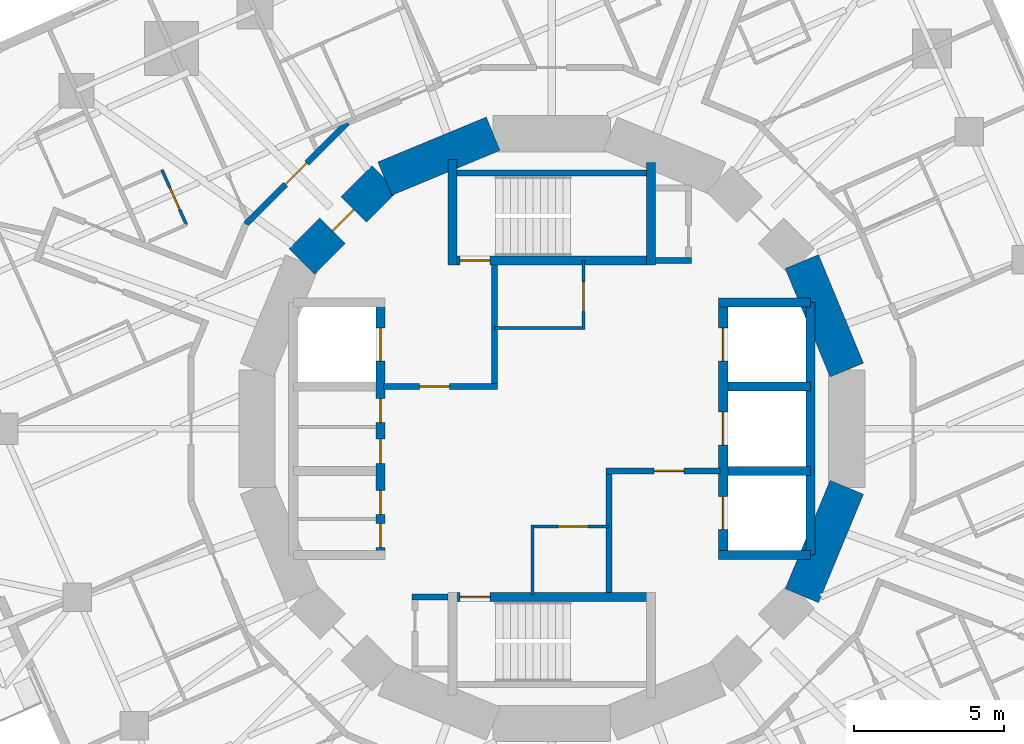
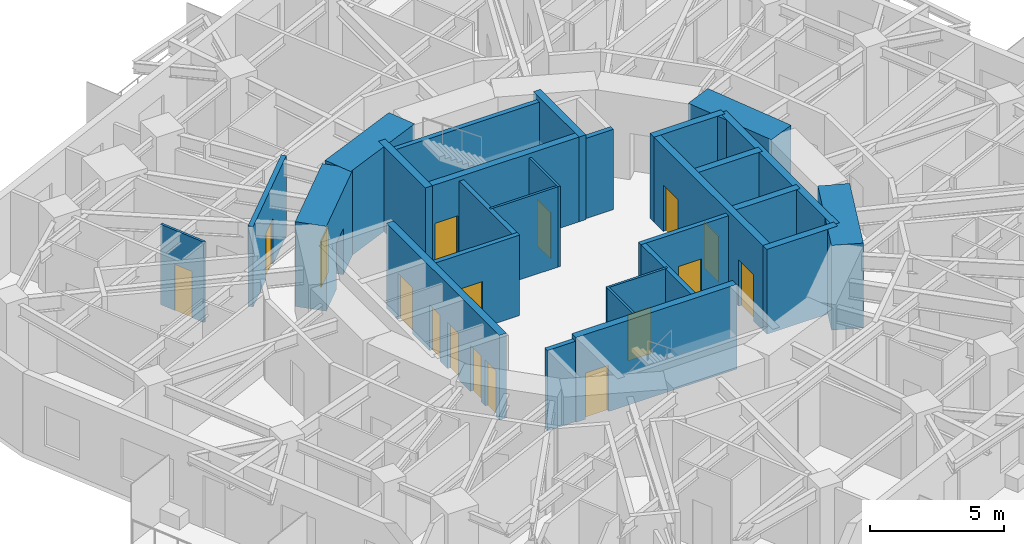
# One storey, part 7 of 12: 28 walls, 17 doors, 17 openings.
"""IFC4 building model written with IfcOpenShell, lengths in metres."""

from ifc_helpers import new_model, si_unit, direction, frame, frame_2d, origin, place, context, subcontext, project, spatial, rectangle, extrude, material, layer, layer_set, type_object, element, fill, save


model = new_model("IFC4")

# Units and contexts
model_context = context("Model", 3, precision=1e-05, world=origin(), true_north=direction((0.0, 1.0)))
body_context = subcontext(model_context, "Body", "Model", "MODEL_VIEW")
ifc_project = project(units=[si_unit("LENGTHUNIT", "METRE"), si_unit("AREAUNIT", "SQUARE_METRE"), si_unit("VOLUMEUNIT", "CUBIC_METRE"), si_unit("PLANEANGLEUNIT", "RADIAN"), si_unit("MASSUNIT", "GRAM", prefix="KILO")], contexts=[model_context])

# Site, building, storey
site_placement = place(None, origin())
site = spatial("IfcSite", under=ifc_project, at=site_placement, CompositionType="ELEMENT")
building_placement = place(site_placement, origin())
building = spatial("IfcBuilding", under=site, at=building_placement, Name="Nakasero Lantern House", CompositionType="ELEMENT")
storey_placement = place(building_placement, frame((0.0, 0.0, 190.14990234375)))
storey = spatial("IfcBuildingStorey", under=building, at=storey_placement, Name="L46", CompositionType="ELEMENT", Elevation=190.14990234375)

# Wall, openings, doors
ifc_material_1 = material(Name="Concrete C50/60", Category="concrete")
ifc_layer_1 = layer(ifc_material_1, 0.300048828125)
ifc_layer_set_1 = layer_set([ifc_layer_1], Name="Core inner wall 300")
wall_type_1 = type_object("IfcWallType", Name="Core inner wall 300", PredefinedType="SHEAR", material=ifc_layer_set_1)
wall_1_placement = place(storey_placement, frame((-5.699951171875, -4.199951171875, 0.0), z_axis=(0.0, 0.0, 1.0), x_axis=(0.0, 1.0, 0.0)))
wall_1 = element("IfcWall", 1, at=wall_1_placement, inside=storey, type_object=wall_type_1, Name="Core inner wall L46 LW", PredefinedType="SHEAR", context=body_context, shape_type="SweptSolid", body=[
    extrude(rectangle(XDim=8.39990234375, YDim=0.300048828125, at=frame_2d((4.199951171875, 0.0))), origin(), (0.0, 0.0, 1.0), 3.85009765625),
])
opening_1_placement = place(wall_1_placement, frame((0.25, 0.0, 0.0)))
opening_1 = element("IfcOpeningElement", 2, at=opening_1_placement, cuts=wall_1, Name="Opening D15", PredefinedType="OPENING", context=body_context, shape_type="SweptSolid", body=[
    extrude(rectangle(XDim=0.800048828125, YDim=2.10009765625, at=frame_2d((0.39990234375, 1.050048828125))), frame((0.0, 0.169921875, 0.0), z_axis=(0.0, -1.0, 0.0), x_axis=(1.0, 0.0, 0.0)), (0.0, 0.0, 1.0), 0.340087890625),
])
opening_2_placement = place(wall_1_placement, frame((1.35009765625, 0.0, 0.0)))
opening_2 = element("IfcOpeningElement", 3, at=opening_2_placement, cuts=wall_1, Name="Opening D15", PredefinedType="OPENING", context=body_context, shape_type="SweptSolid", body=[
    extrude(rectangle(XDim=0.800048828125, YDim=2.10009765625, at=frame_2d((0.39990234375, 1.050048828125))), frame((0.0, 0.169921875, 0.0), z_axis=(0.0, -1.0, 0.0), x_axis=(1.0, 0.0, 0.0)), (0.0, 0.0, 1.0), 0.340087890625),
])
opening_3_placement = place(wall_1_placement, frame((3.050048828125, 0.0, 0.0)))
opening_3 = element("IfcOpeningElement", 4, at=opening_3_placement, cuts=wall_1, Name="Opening D15", PredefinedType="OPENING", context=body_context, shape_type="SweptSolid", body=[
    extrude(rectangle(XDim=0.800048828125, YDim=2.10009765625, at=frame_2d((0.39990234375, 1.050048828125))), frame((0.0, 0.169921875, 0.0), z_axis=(0.0, -1.0, 0.0), x_axis=(1.0, 0.0, 0.0)), (0.0, 0.0, 1.0), 0.340087890625),
])
opening_4_placement = place(wall_1_placement, frame((4.39990234375, 0.0, 0.0)))
opening_4 = element("IfcOpeningElement", 5, at=opening_4_placement, cuts=wall_1, Name="Opening D15", PredefinedType="OPENING", context=body_context, shape_type="SweptSolid", body=[
    extrude(rectangle(XDim=0.800048828125, YDim=2.10009765625, at=frame_2d((0.39990234375, 1.050048828125))), frame((0.0, 0.169921875, 0.0), z_axis=(0.0, -1.0, 0.0), x_axis=(1.0, 0.0, 0.0)), (0.0, 0.0, 1.0), 0.340087890625),
])
opening_5_placement = place(wall_1_placement, frame((6.449951171875, 0.0, 0.0)))
opening_5 = element("IfcOpeningElement", 6, at=opening_5_placement, cuts=wall_1, Name="Opening LD", PredefinedType="OPENING", context=body_context, shape_type="SweptSolid", body=[
    extrude(rectangle(XDim=1.10009765625, YDim=2.10009765625, at=frame_2d((0.550048828125, 1.050048828125))), frame((0.0, 0.169921875, 0.0), z_axis=(0.0, -1.0, 0.0), x_axis=(1.0, 0.0, 0.0)), (0.0, 0.0, 1.0), 0.340087890625),
])
ifc_material_2 = material(Name="Timber C24", Category="wood")
door_type_1 = type_object("IfcDoorType", Name="Cleaner's store door FD30S 800", OperationType="SINGLE_SWING_LEFT", PredefinedType="DOOR", material=ifc_material_2)
door_1_placement = place(opening_1_placement, origin())
door_1 = element("IfcDoor", 7, at=door_1_placement, inside=storey, type_object=door_type_1, Name="Door L46 D-SH-LW1a", OperationType="SINGLE_SWING_LEFT", OverallHeight=2.10009765625, OverallWidth=0.800048828125, PredefinedType="DOOR", context=body_context, shape_type="SweptSolid", body=[
    extrude(rectangle(XDim=0.800048828125, YDim=2.10009765625, at=frame_2d((0.39990234375, 1.050048828125))), frame((0.0, 0.02490234375, 0.0), z_axis=(0.0, -1.0, 0.0), x_axis=(1.0, 0.0, 0.0)), (0.0, 0.0, 1.0), 0.050048828125),
])
fill(opening_1, door_1)
door_2_placement = place(opening_2_placement, origin())
door_2 = element("IfcDoor", 8, at=door_2_placement, inside=storey, type_object=door_type_1, Name="Door L46 D-SH-LW1b", OperationType="SINGLE_SWING_LEFT", OverallHeight=2.10009765625, OverallWidth=0.800048828125, PredefinedType="DOOR", context=body_context, shape_type="SweptSolid", body=[
    extrude(rectangle(XDim=0.800048828125, YDim=2.10009765625, at=frame_2d((0.39990234375, 1.050048828125))), frame((0.0, 0.02490234375, 0.0), z_axis=(0.0, -1.0, 0.0), x_axis=(1.0, 0.0, 0.0)), (0.0, 0.0, 1.0), 0.050048828125),
])
fill(opening_2, door_2)
door_3_placement = place(opening_3_placement, origin())
door_3 = element("IfcDoor", 9, at=door_3_placement, inside=storey, type_object=door_type_1, Name="Door L46 D-SH-LW2a", OperationType="SINGLE_SWING_LEFT", OverallHeight=2.10009765625, OverallWidth=0.800048828125, PredefinedType="DOOR", context=body_context, shape_type="SweptSolid", body=[
    extrude(rectangle(XDim=0.800048828125, YDim=2.10009765625, at=frame_2d((0.39990234375, 1.050048828125))), frame((0.0, 0.02490234375, 0.0), z_axis=(0.0, -1.0, 0.0), x_axis=(1.0, 0.0, 0.0)), (0.0, 0.0, 1.0), 0.050048828125),
])
fill(opening_3, door_3)
door_4_placement = place(opening_4_placement, origin())
door_4 = element("IfcDoor", 10, at=door_4_placement, inside=storey, type_object=door_type_1, Name="Door L46 D-SH-LW2b", OperationType="SINGLE_SWING_RIGHT", OverallHeight=2.10009765625, OverallWidth=0.800048828125, PredefinedType="DOOR", context=body_context, shape_type="SweptSolid", body=[
    extrude(rectangle(XDim=0.800048828125, YDim=2.10009765625, at=frame_2d((0.39990234375, 1.050048828125))), frame((0.0, 0.02490234375, 0.0), z_axis=(0.0, -1.0, 0.0), x_axis=(1.0, 0.0, 0.0)), (0.0, 0.0, 1.0), 0.050048828125),
])
fill(opening_4, door_4)
ifc_material_3 = material(Name="Steel S355", Category="steel")
door_type_2 = type_object("IfcDoorType", Name="Lift landing door E120 1100", OperationType="SLIDING_TO_LEFT", PredefinedType="DOOR", material=ifc_material_3)
door_5_placement = place(opening_5_placement, origin())
door_5 = element("IfcDoor", 11, at=door_5_placement, inside=storey, type_object=door_type_2, Name="Lift landing door LW3", OperationType="SLIDING_TO_LEFT", OverallHeight=2.10009765625, OverallWidth=1.10009765625, PredefinedType="DOOR", context=body_context, shape_type="SweptSolid", body=[
    extrude(rectangle(XDim=1.10009765625, YDim=2.10009765625, at=frame_2d((0.550048828125, 1.050048828125))), frame((0.0, 0.02490234375, 0.0), z_axis=(0.0, -1.0, 0.0), x_axis=(1.0, 0.0, 0.0)), (0.0, 0.0, 1.0), 0.050048828125),
])
fill(opening_5, door_5)

wall_2_placement = place(storey_placement, frame((5.699951171875, -4.199951171875, 0.0), z_axis=(0.0, 0.0, 1.0), x_axis=(0.0, 1.0, 0.0)))
wall_2 = element("IfcWall", 12, at=wall_2_placement, inside=storey, type_object=wall_type_1, Name="Core inner wall L46 LE", PredefinedType="SHEAR", context=body_context, shape_type="SweptSolid", body=[
    extrude(rectangle(XDim=8.39990234375, YDim=0.300048828125, at=frame_2d((4.199951171875, 0.0))), origin(), (0.0, 0.0, 1.0), 3.85009765625),
])
opening_6_placement = place(wall_2_placement, frame((0.85009765625, 0.0, 0.0)))
opening_6 = element("IfcOpeningElement", 13, at=opening_6_placement, cuts=wall_2, Name="Opening LD", PredefinedType="OPENING", context=body_context, shape_type="SweptSolid", body=[
    extrude(rectangle(XDim=1.10009765625, YDim=2.10009765625, at=frame_2d((0.550048828125, 1.050048828125))), frame((0.0, 0.169921875, 0.0), z_axis=(0.0, -1.0, 0.0), x_axis=(1.0, 0.0, 0.0)), (0.0, 0.0, 1.0), 0.340087890625),
])
opening_7_placement = place(wall_2_placement, frame((3.64990234375, 0.0, 0.0)))
opening_7 = element("IfcOpeningElement", 14, at=opening_7_placement, cuts=wall_2, Name="Opening LD", PredefinedType="OPENING", context=body_context, shape_type="SweptSolid", body=[
    extrude(rectangle(XDim=1.10009765625, YDim=2.10009765625, at=frame_2d((0.550048828125, 1.050048828125))), frame((0.0, 0.169921875, 0.0), z_axis=(0.0, -1.0, 0.0), x_axis=(1.0, 0.0, 0.0)), (0.0, 0.0, 1.0), 0.340087890625),
])
opening_8_placement = place(wall_2_placement, frame((6.449951171875, 0.0, 0.0)))
opening_8 = element("IfcOpeningElement", 15, at=opening_8_placement, cuts=wall_2, Name="Opening LD", PredefinedType="OPENING", context=body_context, shape_type="SweptSolid", body=[
    extrude(rectangle(XDim=1.10009765625, YDim=2.10009765625, at=frame_2d((0.550048828125, 1.050048828125))), frame((0.0, 0.169921875, 0.0), z_axis=(0.0, -1.0, 0.0), x_axis=(1.0, 0.0, 0.0)), (0.0, 0.0, 1.0), 0.340087890625),
])
door_6_placement = place(opening_6_placement, origin())
door_6 = element("IfcDoor", 16, at=door_6_placement, inside=storey, type_object=door_type_2, Name="Lift landing door LE1", OperationType="SLIDING_TO_LEFT", OverallHeight=2.10009765625, OverallWidth=1.10009765625, PredefinedType="DOOR", context=body_context, shape_type="SweptSolid", body=[
    extrude(rectangle(XDim=1.10009765625, YDim=2.10009765625, at=frame_2d((0.550048828125, 1.050048828125))), frame((0.0, 0.02490234375, 0.0), z_axis=(0.0, -1.0, 0.0), x_axis=(1.0, 0.0, 0.0)), (0.0, 0.0, 1.0), 0.050048828125),
])
fill(opening_6, door_6)
door_7_placement = place(opening_7_placement, origin())
door_7 = element("IfcDoor", 17, at=door_7_placement, inside=storey, type_object=door_type_2, Name="Lift landing door LE2", OperationType="SLIDING_TO_LEFT", OverallHeight=2.10009765625, OverallWidth=1.10009765625, PredefinedType="DOOR", context=body_context, shape_type="SweptSolid", body=[
    extrude(rectangle(XDim=1.10009765625, YDim=2.10009765625, at=frame_2d((0.550048828125, 1.050048828125))), frame((0.0, 0.02490234375, 0.0), z_axis=(0.0, -1.0, 0.0), x_axis=(1.0, 0.0, 0.0)), (0.0, 0.0, 1.0), 0.050048828125),
])
fill(opening_7, door_7)
door_8_placement = place(opening_8_placement, origin())
door_8 = element("IfcDoor", 18, at=door_8_placement, inside=storey, type_object=door_type_2, Name="Lift landing door LE3", OperationType="SLIDING_TO_LEFT", OverallHeight=2.10009765625, OverallWidth=1.10009765625, PredefinedType="DOOR", context=body_context, shape_type="SweptSolid", body=[
    extrude(rectangle(XDim=1.10009765625, YDim=2.10009765625, at=frame_2d((0.550048828125, 1.050048828125))), frame((0.0, 0.02490234375, 0.0), z_axis=(0.0, -1.0, 0.0), x_axis=(1.0, 0.0, 0.0)), (0.0, 0.0, 1.0), 0.050048828125),
])
fill(opening_8, door_8)

# Walls
for number, where, z_axis, x_axis, name in (
    (19, (5.550048828125, 4.199951171875, 0.0), (0.0, 0.0, 1.0), (1.0, 0.0, 0.0), "Core inner wall L46 LEN"),
    (20, (5.550048828125, -4.199951171875, 0.0), (0.0, 0.0, 1.0), (1.0, 0.0, 0.0), "Core inner wall L46 LES"),
):
    element("IfcWall", number, at=place(storey_placement, frame(where, z_axis=z_axis, x_axis=x_axis)), inside=storey, type_object=wall_type_1, Name=name, PredefinedType="SHEAR", context=body_context, shape_type="SweptSolid", body=[
        extrude(rectangle(XDim=3.050048828125, YDim=0.300048828125, at=frame_2d((1.52490234375, 0.0))), origin(), (0.0, 0.0, 1.0), 3.85009765625),
    ])
wall_3_placement = place(storey_placement, frame((8.60009765625, -4.199951171875, 0.0), z_axis=(0.0, 0.0, 1.0), x_axis=(0.0, 1.0, 0.0)))
element("IfcWall", 21, at=wall_3_placement, inside=storey, type_object=wall_type_1, Name="Core inner wall L46 LEB", PredefinedType="SHEAR", context=body_context, shape_type="SweptSolid", body=[
    extrude(rectangle(XDim=8.39990234375, YDim=0.300048828125, at=frame_2d((4.199951171875, 0.0))), origin(), (0.0, 0.0, 1.0), 3.85009765625),
])
for number, where, z_axis, x_axis, name in (
    (22, (5.85009765625, -1.39990234375, 0.0), (0.0, 0.0, 1.0), (1.0, 0.0, 0.0), "Core inner wall L46 LE1"),
    (23, (5.85009765625, 1.39990234375, 0.0), (0.0, 0.0, 1.0), (1.0, 0.0, 0.0), "Core inner wall L46 LE2"),
):
    element("IfcWall", number, at=place(storey_placement, frame(where, z_axis=z_axis, x_axis=x_axis)), inside=storey, type_object=wall_type_1, Name=name, PredefinedType="SHEAR", context=body_context, shape_type="SweptSolid", body=[
        extrude(rectangle(XDim=2.75, YDim=0.300048828125, at=frame_2d((1.375, 0.0))), origin(), (0.0, 0.0, 1.0), 3.85009765625),
    ])

# Wall, opening, door
wall_4_placement = place(storey_placement, frame((-3.449951171875, 5.60009765625, 0.0), z_axis=(0.0, 0.0, 1.0), x_axis=(1.0, 0.0, 0.0)))
wall_4 = element("IfcWall", 24, at=wall_4_placement, inside=storey, type_object=wall_type_1, Name="Core inner wall L46 SN", PredefinedType="SHEAR", context=body_context, shape_type="SweptSolid", body=[
    extrude(rectangle(XDim=6.89990234375, YDim=0.300048828125, at=frame_2d((3.449951171875, 0.0))), origin(), (0.0, 0.0, 1.0), 3.85009765625),
])
opening_9_placement = place(wall_4_placement, frame((0.39990234375, 0.0, 0.0)))
opening_9 = element("IfcOpeningElement", 25, at=opening_9_placement, cuts=wall_4, Name="Opening D05", PredefinedType="OPENING", context=body_context, shape_type="SweptSolid", body=[
    extrude(rectangle(XDim=1.0, YDim=2.10009765625, at=frame_2d((0.5, 1.050048828125))), frame((0.0, 0.169921875, 0.0), z_axis=(0.0, -1.0, 0.0), x_axis=(1.0, 0.0, 0.0)), (0.0, 0.0, 1.0), 0.340087890625),
])
ifc_material_4 = material(Name="Timber C24", Category="wood")
door_type_3 = type_object("IfcDoorType", Name="Core door FD60S 1000", OperationType="SINGLE_SWING_LEFT", PredefinedType="DOOR", material=ifc_material_4)
door_9_placement = place(opening_9_placement, origin())
door_9 = element("IfcDoor", 26, at=door_9_placement, inside=storey, type_object=door_type_3, Name="Door L46 D-ST1", OperationType="SINGLE_SWING_LEFT", OverallHeight=2.10009765625, OverallWidth=1.0, PredefinedType="DOOR", context=body_context, shape_type="SweptSolid", body=[
    extrude(rectangle(XDim=1.0, YDim=2.10009765625, at=frame_2d((0.5, 1.050048828125))), frame((0.0, 0.02490234375, 0.0), z_axis=(0.0, -1.0, 0.0), x_axis=(1.0, 0.0, 0.0)), (0.0, 0.0, 1.0), 0.050048828125),
])
fill(opening_9, door_9)

# Walls
wall_5_placement = place(storey_placement, frame((-3.300048828125, 5.449951171875, 0.0), z_axis=(0.0, 0.0, 1.0), x_axis=(0.0, 1.0, 0.0)))
element("IfcWall", 27, at=wall_5_placement, inside=storey, type_object=wall_type_1, Name="Core inner wall L46 SNW", PredefinedType="SHEAR", context=body_context, shape_type="SweptSolid", body=[
    extrude(rectangle(XDim=3.5, YDim=0.300048828125, at=frame_2d((1.75, 0.0))), origin(), (0.0, 0.0, 1.0), 3.85009765625),
])
wall_6_placement = place(storey_placement, frame((3.300048828125, 5.449951171875, 0.0), z_axis=(0.0, 0.0, 1.0), x_axis=(0.0, 1.0, 0.0)))
element("IfcWall", 28, at=wall_6_placement, inside=storey, type_object=wall_type_1, Name="Core inner wall L46 SNE", PredefinedType="SHEAR", context=body_context, shape_type="SweptSolid", body=[
    extrude(rectangle(XDim=3.400146484375, YDim=0.300048828125, at=frame_2d((1.7001953125, 0.0))), origin(), (0.0, 0.0, 1.0), 3.85009765625),
])

# Wall, opening, door
wall_7_placement = place(storey_placement, frame((-3.449951171875, -5.60009765625, 0.0), z_axis=(0.0, 0.0, 1.0), x_axis=(1.0, 0.0, 0.0)))
wall_7 = element("IfcWall", 29, at=wall_7_placement, inside=storey, type_object=wall_type_1, Name="Core inner wall L46 SS", PredefinedType="SHEAR", context=body_context, shape_type="SweptSolid", body=[
    extrude(rectangle(XDim=6.89990234375, YDim=0.300048828125, at=frame_2d((3.449951171875, 0.0))), origin(), (0.0, 0.0, 1.0), 3.85009765625),
])
opening_10_placement = place(wall_7_placement, frame((0.39990234375, 0.0, 0.0)))
opening_10 = element("IfcOpeningElement", 30, at=opening_10_placement, cuts=wall_7, Name="Opening D05", PredefinedType="OPENING", context=body_context, shape_type="SweptSolid", body=[
    extrude(rectangle(XDim=1.0, YDim=2.10009765625, at=frame_2d((0.5, 1.050048828125))), frame((0.0, 0.169921875, 0.0), z_axis=(0.0, -1.0, 0.0), x_axis=(1.0, 0.0, 0.0)), (0.0, 0.0, 1.0), 0.340087890625),
])
door_10_placement = place(opening_10_placement, origin())
door_10 = element("IfcDoor", 31, at=door_10_placement, inside=storey, type_object=door_type_3, Name="Door L46 D-ST2", OperationType="SINGLE_SWING_LEFT", OverallHeight=2.10009765625, OverallWidth=1.0, PredefinedType="DOOR", context=body_context, shape_type="SweptSolid", body=[
    extrude(rectangle(XDim=1.0, YDim=2.10009765625, at=frame_2d((0.5, 1.050048828125))), frame((0.0, 0.02490234375, 0.0), z_axis=(0.0, -1.0, 0.0), x_axis=(1.0, 0.0, 0.0)), (0.0, 0.0, 1.0), 0.050048828125),
])
fill(opening_10, door_10)

# Wall
ifc_material_5 = material(Name="Blockwork", Category="masonry")
ifc_layer_2 = layer(ifc_material_5, 0.10009765625)
ifc_layer_set_2 = layer_set([ifc_layer_2], Name="Core room wall 100")
wall_type_2 = type_object("IfcWallType", Name="Core room wall 100", PredefinedType="PARTITIONING", material=ifc_layer_set_2)
wall_8_placement = place(storey_placement, frame((-1.89990234375, 3.35009765625, 0.0), z_axis=(0.0, 0.0, 1.0), x_axis=(1.0, 0.0, 0.0)))
element("IfcWall", 32, at=wall_8_placement, inside=storey, type_object=wall_type_2, Name="Core room wall L46 CR-NES", PredefinedType="PARTITIONING", context=body_context, shape_type="SweptSolid", body=[
    extrude(rectangle(XDim=3.0, YDim=0.10009765625, at=frame_2d((1.5, 0.0))), origin(), (0.0, 0.0, 1.0), 3.650146484375),
])

# Wall, opening, door
wall_9_placement = place(storey_placement, frame((1.050048828125, 3.300048828125, 0.0), z_axis=(0.0, 0.0, 1.0), x_axis=(0.0, 1.0, 0.0)))
wall_9 = element("IfcWall", 33, at=wall_9_placement, inside=storey, type_object=wall_type_2, Name="Core room wall L46 CR-NEE", PredefinedType="PARTITIONING", context=body_context, shape_type="SweptSolid", body=[
    extrude(rectangle(XDim=2.300048828125, YDim=0.10009765625, at=frame_2d((1.14990234375, 0.0))), origin(), (0.0, 0.0, 1.0), 3.650146484375),
])
opening_11_placement = place(wall_9_placement, frame((0.60009765625, 0.0, 0.0)))
opening_11 = element("IfcOpeningElement", 34, at=opening_11_placement, cuts=wall_9, Name="Opening D13", PredefinedType="OPENING", context=body_context, shape_type="SweptSolid", body=[
    extrude(rectangle(XDim=1.0, YDim=2.10009765625, at=frame_2d((0.5, 1.050048828125))), frame((0.0, 0.070068359375, 0.0), z_axis=(0.0, -1.0, 0.0), x_axis=(1.0, 0.0, 0.0)), (0.0, 0.0, 1.0), 0.14013671875),
])
ifc_material_6 = material(Name="Steel S355", Category="steel")
door_type_4 = type_object("IfcDoorType", Name="Plant room door FD60 1000", OperationType="SINGLE_SWING_LEFT", PredefinedType="DOOR", material=ifc_material_6)
door_11_placement = place(opening_11_placement, origin())
door_11 = element("IfcDoor", 35, at=door_11_placement, inside=storey, type_object=door_type_4, Name="Door L46 D-CR-NE", OperationType="SINGLE_SWING_LEFT", OverallHeight=2.10009765625, OverallWidth=1.0, PredefinedType="DOOR", context=body_context, shape_type="SweptSolid", body=[
    extrude(rectangle(XDim=1.0, YDim=2.10009765625, at=frame_2d((0.5, 1.050048828125))), frame((0.0, 0.02490234375, 0.0), z_axis=(0.0, -1.0, 0.0), x_axis=(1.0, 0.0, 0.0)), (0.0, 0.0, 1.0), 0.050048828125),
])
fill(opening_11, door_11)

wall_10_placement = place(storey_placement, frame((-0.699951171875, -3.25, 0.0), z_axis=(0.0, 0.0, 1.0), x_axis=(1.0, 0.0, 0.0)))
wall_10 = element("IfcWall", 36, at=wall_10_placement, inside=storey, type_object=wall_type_2, Name="Core room wall L46 CR-SWN", PredefinedType="PARTITIONING", context=body_context, shape_type="SweptSolid", body=[
    extrude(rectangle(XDim=2.599853515625, YDim=0.10009765625, at=frame_2d((1.2998046875, 0.0))), origin(), (0.0, 0.0, 1.0), 3.650146484375),
])
opening_12_placement = place(wall_10_placement, frame((0.89990234375, 0.0, 0.0)))
opening_12 = element("IfcOpeningElement", 37, at=opening_12_placement, cuts=wall_10, Name="Opening D07", PredefinedType="OPENING", context=body_context, shape_type="SweptSolid", body=[
    extrude(rectangle(XDim=1.0, YDim=2.10009765625, at=frame_2d((0.5, 1.050048828125))), frame((0.0, 0.070068359375, 0.0), z_axis=(0.0, -1.0, 0.0), x_axis=(1.0, 0.0, 0.0)), (0.0, 0.0, 1.0), 0.14013671875),
])
ifc_material_7 = material(Name="Timber C24", Category="wood")
door_type_5 = type_object("IfcDoorType", Name="Room door FD30S 1000", OperationType="SINGLE_SWING_LEFT", PredefinedType="DOOR", material=ifc_material_7)
door_12_placement = place(opening_12_placement, origin())
door_12 = element("IfcDoor", 38, at=door_12_placement, inside=storey, type_object=door_type_5, Name="Door L46 D-CR-SW", OperationType="SINGLE_SWING_RIGHT", OverallHeight=2.10009765625, OverallWidth=1.0, PredefinedType="DOOR", context=body_context, shape_type="SweptSolid", body=[
    extrude(rectangle(XDim=1.0, YDim=2.10009765625, at=frame_2d((0.5, 1.050048828125))), frame((0.0, 0.02490234375, 0.0), z_axis=(0.0, -1.0, 0.0), x_axis=(1.0, 0.0, 0.0)), (0.0, 0.0, 1.0), 0.050048828125),
])
fill(opening_12, door_12)

# Walls
wall_11_placement = place(storey_placement, frame((-0.64990234375, -5.550048828125, 0.0), z_axis=(0.0, 0.0, 1.0), x_axis=(0.0, 1.0, 0.0)))
element("IfcWall", 39, at=wall_11_placement, inside=storey, type_object=wall_type_2, Name="Core room wall L46 CR-SWW", PredefinedType="PARTITIONING", context=body_context, shape_type="SweptSolid", body=[
    extrude(rectangle(XDim=2.35009765625, YDim=0.10009765625, at=frame_2d((1.175048828125, 0.0))), origin(), (0.0, 0.0, 1.0), 3.650146484375),
])
ifc_material_8 = material(Name="Concrete C50/60", Category="concrete")
ifc_layer_3 = layer(ifc_material_8, 1.199951171875)
ifc_layer_set_3 = layer_set([ifc_layer_3], Name="Core wall 1200")
wall_type_3 = type_object("IfcWallType", Name="Core wall 1200", PredefinedType="SHEAR", material=ifc_layer_set_3)
for number, where, z_axis, x_axis, name in (
    (40, (9.807861328125, 1.950927734375, 0.0), (0.0, 0.0, 1.0), (-0.382690736062, 0.923876507187, 0.0), "Core wall L46 facet 1"),
    (41, (-1.950927734375, 9.807861328125, 0.0), (0.0, 0.0, 1.0), (-0.923876507187, -0.382690736062, 0.0), "Core wall L46 facet 5"),
):
    element("IfcWall", number, at=place(storey_placement, frame(where, z_axis=z_axis, x_axis=x_axis)), inside=storey, type_object=wall_type_3, Name=name, PredefinedType="SHEAR", context=body_context, shape_type="SweptSolid", body=[
        extrude(rectangle(XDim=3.90185546875, YDim=1.199951171875, at=frame_2d((1.950927734375, 0.0))), origin(), (0.0, 0.0, 1.0), 3.85009765625),
    ])

# Wall, opening, door
wall_12_placement = place(storey_placement, frame((-5.5556640625, 8.314697265625, 0.0), z_axis=(0.0, 0.0, 1.0), x_axis=(-0.707106781187, -0.707106781187, 0.0)))
wall_12 = element("IfcWall", 42, at=wall_12_placement, inside=storey, type_object=wall_type_3, Name="Core wall L46 facet 6", PredefinedType="SHEAR", context=body_context, shape_type="SweptSolid", body=[
    extrude(rectangle(XDim=3.90185546875, YDim=1.199951171875, at=frame_2d((1.950927734375, 0.0))), origin(), (0.0, 0.0, 1.0), 3.85009765625),
])
opening_13_placement = place(wall_12_placement, frame((1.450927734375, 0.0, 0.0)))
opening_13 = element("IfcOpeningElement", 43, at=opening_13_placement, cuts=wall_12, Name="Opening D05", PredefinedType="OPENING", context=body_context, shape_type="SweptSolid", body=[
    extrude(rectangle(XDim=1.0, YDim=2.10009765625, at=frame_2d((0.5, 1.050048828125))), frame((0.0, 0.619873046875, 0.0), z_axis=(0.0, -1.0, 0.0), x_axis=(1.0, 0.0, 0.0)), (0.0, 0.0, 1.0), 1.239990234375),
])
door_13_placement = place(opening_13_placement, origin())
door_13 = element("IfcDoor", 44, at=door_13_placement, inside=storey, type_object=door_type_3, Name="Door L46 D-CORE06", OperationType="SINGLE_SWING_LEFT", OverallHeight=2.10009765625, OverallWidth=1.0, PredefinedType="DOOR", context=body_context, shape_type="SweptSolid", body=[
    extrude(rectangle(XDim=1.0, YDim=2.10009765625, at=frame_2d((0.5, 1.050048828125))), frame((0.0, 0.02490234375, 0.0), z_axis=(0.0, -1.0, 0.0), x_axis=(1.0, 0.0, 0.0)), (0.0, 0.0, 1.0), 0.050048828125),
])
fill(opening_13, door_13)

# Wall
wall_13_placement = place(storey_placement, frame((8.314697265625, -5.5556640625, 0.0), z_axis=(0.0, 0.0, 1.0), x_axis=(0.382690736062, 0.923876507187, 0.0)))
element("IfcWall", 45, at=wall_13_placement, inside=storey, type_object=wall_type_3, Name="Core wall L46 facet 15", PredefinedType="SHEAR", context=body_context, shape_type="SweptSolid", body=[
    extrude(rectangle(XDim=3.90185546875, YDim=1.199951171875, at=frame_2d((1.950927734375, 0.0))), origin(), (0.0, 0.0, 1.0), 3.85009765625),
])

# Wall, opening, door
ifc_material_9 = material(Name="Blockwork", Category="masonry")
ifc_layer_4 = layer(ifc_material_9, 0.199951171875)
ifc_layer_set_4 = layer_set([ifc_layer_4], Name="Corridor wall 200")
wall_type_4 = type_object("IfcWallType", Name="Corridor wall 200", PredefinedType="PARTITIONING", material=ifc_layer_set_4)
wall_14_placement = place(storey_placement, frame((-10.1796875, 6.802001953125, 0.0), z_axis=(0.0, 0.0, 1.0), x_axis=(0.707106781187, 0.707106781187, 0.0)))
wall_14 = element("IfcWall", 46, at=wall_14_placement, inside=storey, type_object=wall_type_4, Name="Corridor wall L46 RC10a", PredefinedType="PARTITIONING", context=body_context, shape_type="SweptSolid", body=[
    extrude(rectangle(XDim=4.77685546875, YDim=0.199951171875, at=frame_2d((2.388427734375, 0.0))), origin(), (0.0, 0.0, 1.0), 3.650146484375),
])
opening_14_placement = place(wall_14_placement, frame((1.8701171875, 0.0, 0.0)))
opening_14 = element("IfcOpeningElement", 47, at=opening_14_placement, cuts=wall_14, Name="Opening D14", PredefinedType="OPENING", context=body_context, shape_type="SweptSolid", body=[
    extrude(rectangle(XDim=1.0, YDim=2.10009765625, at=frame_2d((0.5, 1.050048828125))), frame((0.0, 0.119873046875, 0.0), z_axis=(0.0, -1.0, 0.0), x_axis=(1.0, 0.0, 0.0)), (0.0, 0.0, 1.0), 0.239990234375),
])
ifc_material_10 = material(Name="Timber C24", Category="wood")
door_type_6 = type_object("IfcDoorType", Name="Cluster entrance door FD30S 1000", OperationType="SINGLE_SWING_LEFT", PredefinedType="DOOR", material=ifc_material_10)
door_14_placement = place(opening_14_placement, origin())
door_14 = element("IfcDoor", 48, at=door_14_placement, inside=storey, type_object=door_type_6, Name="Door L46 D1-04", OperationType="SINGLE_SWING_LEFT", OverallHeight=2.10009765625, OverallWidth=1.0, PredefinedType="DOOR", context=body_context, shape_type="SweptSolid", body=[
    extrude(rectangle(XDim=1.0, YDim=2.10009765625, at=frame_2d((0.5, 1.050048828125))), frame((0.0, 0.02490234375, 0.0), z_axis=(0.0, -1.0, 0.0), x_axis=(1.0, 0.0, 0.0)), (0.0, 0.0, 1.0), 0.050048828125),
])
fill(opening_14, door_14)

ifc_material_11 = material(Name="Blockwork", Category="masonry")
ifc_layer_5 = layer(ifc_material_11, 0.10009765625)
ifc_layer_set_5 = layer_set([ifc_layer_5], Name="En-suite wall 100")
wall_type_5 = type_object("IfcWallType", Name="En-suite wall 100", PredefinedType="PARTITIONING", material=ifc_layer_set_5)
wall_15_placement = place(storey_placement, frame((-12.153564453125, 6.78125, 0.0), z_axis=(0.0, 0.0, 1.0), x_axis=(-0.406772684097, 0.913529410294, 0.0)))
wall_15 = element("IfcWall", 49, at=wall_15_placement, inside=storey, type_object=wall_type_5, Name="En-suite wall L46 ES1-05", PredefinedType="PARTITIONING", context=body_context, shape_type="SweptSolid", body=[
    extrude(rectangle(XDim=1.999755859375, YDim=0.10009765625, at=frame_2d((1.0, 0.0))), origin(), (0.0, 0.0, 1.0), 3.650146484375),
])
opening_15_placement = place(wall_15_placement, frame((0.550048828125, 0.0, 0.0)))
opening_15 = element("IfcOpeningElement", 50, at=opening_15_placement, cuts=wall_15, Name="Opening D02", PredefinedType="OPENING", context=body_context, shape_type="SweptSolid", body=[
    extrude(rectangle(XDim=0.800048828125, YDim=2.10009765625, at=frame_2d((0.39990234375, 1.050048828125))), frame((0.0, 0.070068359375, 0.0), z_axis=(0.0, -1.0, 0.0), x_axis=(1.0, 0.0, 0.0)), (0.0, 0.0, 1.0), 0.14013671875),
])
ifc_material_12 = material(Name="Timber C24", Category="wood")
door_type_7 = type_object("IfcDoorType", Name="En-suite door 800", OperationType="SINGLE_SWING_RIGHT", PredefinedType="DOOR", material=ifc_material_12)
door_15_placement = place(opening_15_placement, origin())
door_15 = element("IfcDoor", 51, at=door_15_placement, inside=storey, type_object=door_type_7, Name="Door L46 DE1-05", OperationType="SINGLE_SWING_LEFT", OverallHeight=2.10009765625, OverallWidth=0.800048828125, PredefinedType="DOOR", context=body_context, shape_type="SweptSolid", body=[
    extrude(rectangle(XDim=0.800048828125, YDim=2.10009765625, at=frame_2d((0.39990234375, 1.050048828125))), frame((0.0, 0.02490234375, 0.0), z_axis=(0.0, -1.0, 0.0), x_axis=(1.0, 0.0, 0.0)), (0.0, 0.0, 1.0), 0.050048828125),
])
fill(opening_15, door_15)

ifc_material_13 = material(Name="Blockwork", Category="masonry")
ifc_layer_6 = layer(ifc_material_13, 0.199951171875)
ifc_layer_set_6 = layer_set([ifc_layer_6], Name="Fire lobby wall 200")
wall_type_6 = type_object("IfcWallType", Name="Fire lobby wall 200", PredefinedType="PARTITIONING", material=ifc_layer_set_6)
wall_16_placement = place(storey_placement, frame((-5.60009765625, 1.39990234375, 0.0), z_axis=(0.0, 0.0, 1.0), x_axis=(1.0, 0.0, 0.0)))
wall_16 = element("IfcWall", 52, at=wall_16_placement, inside=storey, type_object=wall_type_6, Name="Fire lobby wall L46 W-FL1S", PredefinedType="PARTITIONING", context=body_context, shape_type="SweptSolid", body=[
    extrude(rectangle(XDim=3.800048828125, YDim=0.199951171875, at=frame_2d((1.89990234375, 0.0))), origin(), (0.0, 0.0, 1.0), 3.650146484375),
])
opening_16_placement = place(wall_16_placement, frame((1.199951171875, 0.0, 0.0)))
opening_16 = element("IfcOpeningElement", 53, at=opening_16_placement, cuts=wall_16, Name="Opening D05", PredefinedType="OPENING", context=body_context, shape_type="SweptSolid", body=[
    extrude(rectangle(XDim=1.0, YDim=2.10009765625, at=frame_2d((0.5, 1.050048828125))), frame((0.0, 0.119873046875, 0.0), z_axis=(0.0, -1.0, 0.0), x_axis=(1.0, 0.0, 0.0)), (0.0, 0.0, 1.0), 0.239990234375),
])
door_16_placement = place(opening_16_placement, origin())
door_16 = element("IfcDoor", 54, at=door_16_placement, inside=storey, type_object=door_type_3, Name="Door L46 D-FL1", OperationType="SINGLE_SWING_LEFT", OverallHeight=2.10009765625, OverallWidth=1.0, PredefinedType="DOOR", context=body_context, shape_type="SweptSolid", body=[
    extrude(rectangle(XDim=1.0, YDim=2.10009765625, at=frame_2d((0.5, 1.050048828125))), frame((0.0, 0.02490234375, 0.0), z_axis=(0.0, -1.0, 0.0), x_axis=(1.0, 0.0, 0.0)), (0.0, 0.0, 1.0), 0.050048828125),
])
fill(opening_16, door_16)

# Wall
wall_17_placement = place(storey_placement, frame((-1.89990234375, 1.5, 0.0), z_axis=(0.0, 0.0, 1.0), x_axis=(0.0, 1.0, 0.0)))
element("IfcWall", 55, at=wall_17_placement, inside=storey, type_object=wall_type_6, Name="Fire lobby wall L46 W-FL1E", PredefinedType="PARTITIONING", context=body_context, shape_type="SweptSolid", body=[
    extrude(rectangle(XDim=3.949951171875, YDim=0.199951171875, at=frame_2d((1.97509765625, 0.0))), origin(), (0.0, 0.0, 1.0), 3.650146484375),
])

# Wall, opening, door
wall_18_placement = place(storey_placement, frame((5.60009765625, -1.39990234375, 0.0), z_axis=(0.0, 0.0, 1.0), x_axis=(-1.0, 0.0, 0.0)))
wall_18 = element("IfcWall", 56, at=wall_18_placement, inside=storey, type_object=wall_type_6, Name="Fire lobby wall L46 W-FL2N", PredefinedType="PARTITIONING", context=body_context, shape_type="SweptSolid", body=[
    extrude(rectangle(XDim=3.800048828125, YDim=0.199951171875, at=frame_2d((1.89990234375, 0.0))), origin(), (0.0, 0.0, 1.0), 3.650146484375),
])
opening_17_placement = place(wall_18_placement, frame((1.199951171875, 0.0, 0.0)))
opening_17 = element("IfcOpeningElement", 57, at=opening_17_placement, cuts=wall_18, Name="Opening D05", PredefinedType="OPENING", context=body_context, shape_type="SweptSolid", body=[
    extrude(rectangle(XDim=1.0, YDim=2.10009765625, at=frame_2d((0.5, 1.050048828125))), frame((0.0, 0.119873046875, 0.0), z_axis=(0.0, -1.0, 0.0), x_axis=(1.0, 0.0, 0.0)), (0.0, 0.0, 1.0), 0.239990234375),
])
door_17_placement = place(opening_17_placement, origin())
door_17 = element("IfcDoor", 58, at=door_17_placement, inside=storey, type_object=door_type_3, Name="Door L46 D-FL2", OperationType="SINGLE_SWING_LEFT", OverallHeight=2.10009765625, OverallWidth=1.0, PredefinedType="DOOR", context=body_context, shape_type="SweptSolid", body=[
    extrude(rectangle(XDim=1.0, YDim=2.10009765625, at=frame_2d((0.5, 1.050048828125))), frame((0.0, 0.02490234375, 0.0), z_axis=(0.0, -1.0, 0.0), x_axis=(1.0, 0.0, 0.0)), (0.0, 0.0, 1.0), 0.050048828125),
])
fill(opening_17, door_17)

# Walls
wall_19_placement = place(storey_placement, frame((1.89990234375, -1.5, 0.0), z_axis=(0.0, 0.0, 1.0), x_axis=(0.0, -1.0, 0.0)))
element("IfcWall", 59, at=wall_19_placement, inside=storey, type_object=wall_type_6, Name="Fire lobby wall L46 W-FL2W", PredefinedType="PARTITIONING", context=body_context, shape_type="SweptSolid", body=[
    extrude(rectangle(XDim=3.949951171875, YDim=0.199951171875, at=frame_2d((1.97509765625, 0.0))), origin(), (0.0, 0.0, 1.0), 3.650146484375),
])
for number, where, z_axis, x_axis, name in (
    (60, (3.449951171875, 5.60009765625, 0.0), (0.0, 0.0, 1.0), (1.0, 0.0, 0.0), "Fire lobby wall L46 W-RS1S"),
    (61, (-3.449951171875, -5.60009765625, 0.0), (0.0, 0.0, 1.0), (-1.0, 0.0, 0.0), "Fire lobby wall L46 W-RS2N"),
):
    element("IfcWall", number, at=place(storey_placement, frame(where, z_axis=z_axis, x_axis=x_axis)), inside=storey, type_object=wall_type_6, Name=name, PredefinedType="PARTITIONING", context=body_context, shape_type="SweptSolid", body=[
        extrude(rectangle(XDim=1.199951171875, YDim=0.199951171875, at=frame_2d((0.60009765625, 0.0))), origin(), (0.0, 0.0, 1.0), 3.650146484375),
    ])
wall_20_placement = place(storey_placement, frame((-3.300048828125, 8.5, 0.0), z_axis=(0.0, 0.0, 1.0), x_axis=(1.0, 0.0, 0.0)))
element("IfcWall", 62, at=wall_20_placement, inside=storey, type_object=wall_type_6, Name="Fire lobby wall L46 W-STN", PredefinedType="PARTITIONING", context=body_context, shape_type="SweptSolid", body=[
    extrude(rectangle(XDim=6.60009765625, YDim=0.199951171875, at=frame_2d((3.300048828125, 0.0))), origin(), (0.0, 0.0, 1.0), 3.650146484375),
])

save(model, "model.ifc")
